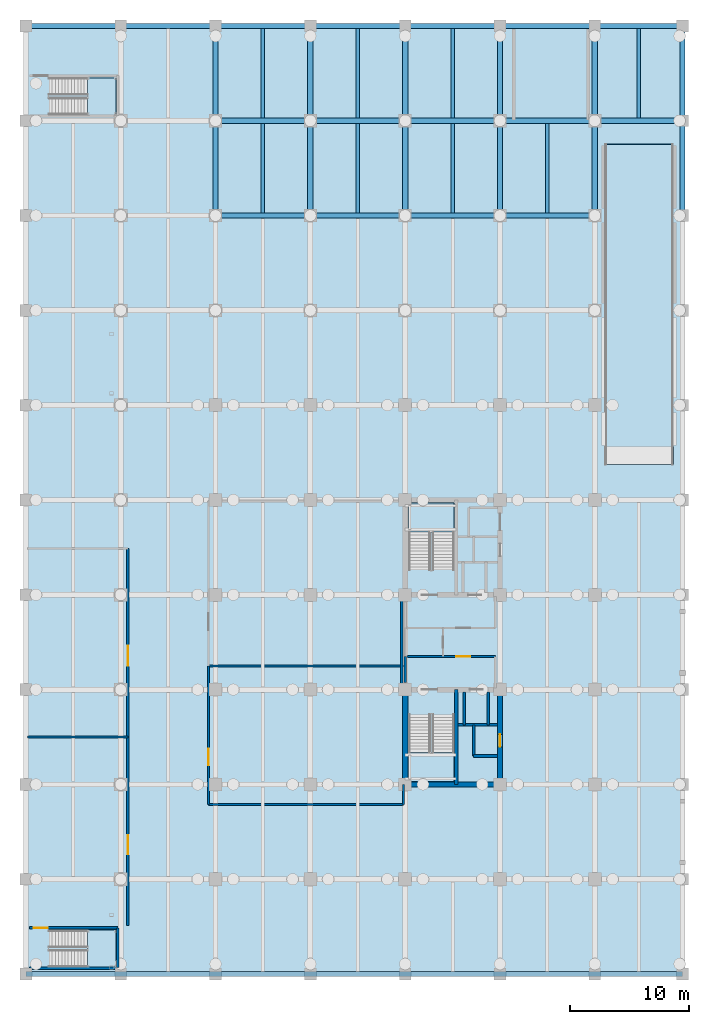
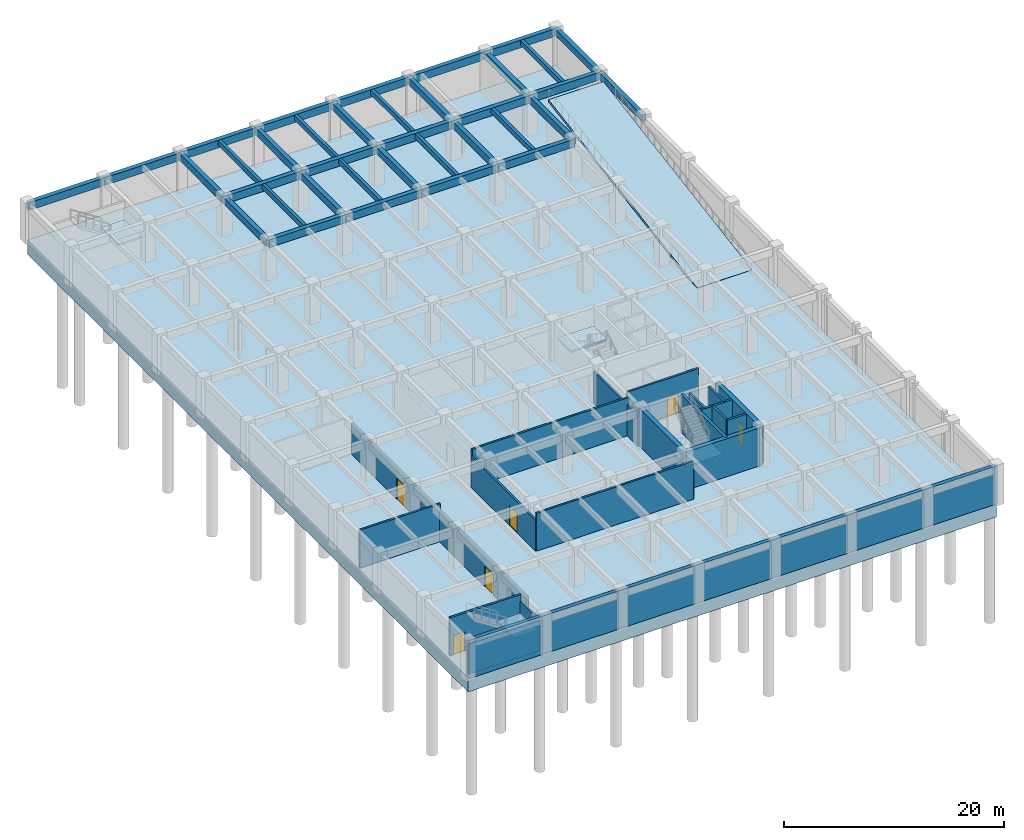
# One storey, part 9 of 15: 36 beams, 23 walls, 6 doors, 6 slabs, 6 openings, 4 elements without a shape of their own.
"""IFC4 building model written with IfcOpenShell, lengths in metres."""

from ifc_helpers import new_model, si_unit, direction, frame, frame_2d, origin, origin_2d, place, context, subcontext, project, spatial, polyline, rectangle, outline, extrude, material, layer, layer_set, material_profile, profile_set, type_object, element, fill, aggregate, save


model = new_model("IFC4")

# Units and contexts
model_context = context("Model", 3, precision=1e-05, world=origin(), true_north=direction((0.0, 1.0)))
body_context = subcontext(model_context, "Body", "Model", "MODEL_VIEW")
ifc_project = project(units=[si_unit("LENGTHUNIT", "METRE"), si_unit("AREAUNIT", "SQUARE_METRE"), si_unit("VOLUMEUNIT", "CUBIC_METRE"), si_unit("PLANEANGLEUNIT", "RADIAN"), si_unit("MASSUNIT", "GRAM", prefix="KILO")], contexts=[model_context])

# Site, building, storey
site_placement = place(None, origin())
site = spatial("IfcSite", under=ifc_project, at=site_placement, CompositionType="ELEMENT")
building_placement = place(site_placement, origin())
building = spatial("IfcBuilding", under=site, at=building_placement, Name="Canggui Botanical Conservatory", CompositionType="ELEMENT")
storey_placement = place(building_placement, frame((0.0, 0.0, -9.0)))
storey = spatial("IfcBuildingStorey", under=building, at=storey_placement, Name="B2", CompositionType="ELEMENT", Elevation=-9.0)

# Beams
ifc_material_1 = material(Name="Concrete C35", Category="concrete")
ifc_material_profile_1 = material_profile(ifc_material_1, rectangle(XDim=0.300048828125, YDim=0.550048828125, at=origin_2d()), Name="RB 300x550")
ifc_profile_set_1 = profile_set([ifc_material_profile_1], Name="Concrete C35")
beam_type_1 = type_object("IfcBeamType", Name="BM-JST01", PredefinedType="JOIST", material=ifc_profile_set_1)
for number, where, z_axis, x_axis, name in (
    (1, (142.0, 90.22998046875, 3.945068359375), (0.0, 1.0, 0.0), (-1.0, 0.0, 0.0), "Secondary Floor Joist B2-3-9"),
    (2, (142.0, 98.22998046875, 3.945068359375), (0.0, 1.0, 0.0), (-1.0, 0.0, 0.0), "Secondary Floor Joist B2-3-10"),
    (3, (150.0, 90.22998046875, 3.945068359375), (0.0, 1.0, 0.0), (-1.0, 0.0, 0.0), "Secondary Floor Joist B2-4-9"),
    (4, (150.0, 98.22998046875, 3.945068359375), (0.0, 1.0, 0.0), (-1.0, 0.0, 0.0), "Secondary Floor Joist B2-4-10"),
    (5, (158.0, 90.22998046875, 3.945068359375), (0.0, 1.0, 0.0), (-1.0, 0.0, 0.0), "Secondary Floor Joist B2-5-9"),
    (6, (158.0, 98.22998046875, 3.945068359375), (0.0, 1.0, 0.0), (-1.0, 0.0, 0.0), "Secondary Floor Joist B2-5-10"),
    (7, (166.0, 90.22998046875, 3.945068359375), (0.0, 1.0, 0.0), (-1.0, 0.0, 0.0), "Secondary Floor Joist B2-6-9"),
    (8, (173.699951171875, 98.22998046875, 3.945068359375), (0.0, 1.0, 0.0), (-1.0, 0.0, 0.0), "Secondary Floor Joist B2-7-10"),
):
    element("IfcBeam", number, at=place(storey_placement, frame(where, z_axis=z_axis, x_axis=x_axis)), inside=storey, type_object=beam_type_1, Name=name, PredefinedType="JOIST", context=body_context, shape_type="SweptSolid", body=[
        extrude(rectangle(XDim=0.300048828125, YDim=0.550048828125, at=origin_2d()), origin(), (0.0, 0.0, 1.0), 7.5400390625),
    ])
ifc_material_profile_2 = material_profile(ifc_material_1, rectangle(XDim=0.449951171875, YDim=0.85009765625, at=origin_2d()), Name="RB 450x850")
ifc_profile_set_2 = profile_set([ifc_material_profile_2], Name="Concrete C35")
beam_type_2 = type_object("IfcBeamType", Name="BM-KL05", PredefinedType="BEAM", material=ifc_profile_set_2)
for number, where, z_axis, x_axis, name in (
    (9, (138.0, 90.0, 3.794921875), (1.0, 0.0, 0.0), (0.0, 1.0, 0.0), "Frame Girder B2 Y90-3"),
    (10, (146.0, 90.0, 3.794921875), (1.0, 0.0, 0.0), (0.0, 1.0, 0.0), "Frame Girder B2 Y90-4"),
    (11, (154.0, 90.0, 3.794921875), (1.0, 0.0, 0.0), (0.0, 1.0, 0.0), "Frame Girder B2 Y90-5"),
    (12, (162.0, 90.0, 3.794921875), (1.0, 0.0, 0.0), (0.0, 1.0, 0.0), "Frame Girder B2 Y90-6"),
    (13, (138.0, 98.0, 3.794921875), (1.0, 0.0, 0.0), (0.0, 1.0, 0.0), "Frame Girder B2 Y98-3"),
    (14, (146.0, 98.0, 3.794921875), (1.0, 0.0, 0.0), (0.0, 1.0, 0.0), "Frame Girder B2 Y98-4"),
    (15, (154.0, 98.0, 3.794921875), (1.0, 0.0, 0.0), (0.0, 1.0, 0.0), "Frame Girder B2 Y98-5"),
    (16, (162.0, 98.0, 3.794921875), (1.0, 0.0, 0.0), (0.0, 1.0, 0.0), "Frame Girder B2 Y98-6"),
):
    element("IfcBeam", number, at=place(storey_placement, frame(where, z_axis=z_axis, x_axis=x_axis)), inside=storey, type_object=beam_type_2, Name=name, PredefinedType="BEAM", context=body_context, shape_type="SweptSolid", body=[
        extrude(rectangle(XDim=0.449951171875, YDim=0.85009765625, at=origin_2d()), origin(), (0.0, 0.0, 1.0), 8.0),
    ])
beam_1_placement = place(storey_placement, frame((170.0, 98.0, 3.794921875), z_axis=(1.0, 0.0, 0.0), x_axis=(0.0, 1.0, 0.0)))
element("IfcBeam", 17, at=beam_1_placement, inside=storey, type_object=beam_type_2, Name="Frame Girder B2 Y98-7", PredefinedType="BEAM", context=body_context, shape_type="SweptSolid", body=[
    extrude(rectangle(XDim=0.449951171875, YDim=0.85009765625, at=origin_2d()), origin(), (0.0, 0.0, 1.0), 7.39990234375),
])
for number, where, z_axis, x_axis, name in (
    (18, (122.0, 106.0, 3.794921875), (1.0, 0.0, 0.0), (0.0, 1.0, 0.0), "Frame Girder B2 Y106-1"),
    (19, (130.0, 106.0, 3.794921875), (1.0, 0.0, 0.0), (0.0, 1.0, 0.0), "Frame Girder B2 Y106-2"),
    (20, (138.0, 106.0, 3.794921875), (1.0, 0.0, 0.0), (0.0, 1.0, 0.0), "Frame Girder B2 Y106-3"),
    (21, (146.0, 106.0, 3.794921875), (1.0, 0.0, 0.0), (0.0, 1.0, 0.0), "Frame Girder B2 Y106-4"),
    (22, (154.0, 106.0, 3.794921875), (1.0, 0.0, 0.0), (0.0, 1.0, 0.0), "Frame Girder B2 Y106-5"),
    (23, (162.0, 106.0, 3.794921875), (1.0, 0.0, 0.0), (0.0, 1.0, 0.0), "Frame Girder B2 Y106-6"),
):
    element("IfcBeam", number, at=place(storey_placement, frame(where, z_axis=z_axis, x_axis=x_axis)), inside=storey, type_object=beam_type_2, Name=name, PredefinedType="BEAM", context=body_context, shape_type="SweptSolid", body=[
        extrude(rectangle(XDim=0.449951171875, YDim=0.85009765625, at=origin_2d()), origin(), (0.0, 0.0, 1.0), 8.0),
    ])
beam_2_placement = place(storey_placement, frame((170.0, 106.0, 3.794921875), z_axis=(1.0, 0.0, 0.0), x_axis=(0.0, 1.0, 0.0)))
element("IfcBeam", 24, at=beam_2_placement, inside=storey, type_object=beam_type_2, Name="Frame Girder B2 Y106-7", PredefinedType="BEAM", context=body_context, shape_type="SweptSolid", body=[
    extrude(rectangle(XDim=0.449951171875, YDim=0.85009765625, at=origin_2d()), origin(), (0.0, 0.0, 1.0), 7.39990234375),
])
ifc_material_profile_3 = material_profile(ifc_material_1, rectangle(XDim=0.449951171875, YDim=0.75, at=origin_2d()), Name="RB 450x750")
ifc_profile_set_3 = profile_set([ifc_material_profile_3], Name="Concrete C35")
beam_type_3 = type_object("IfcBeamType", Name="BM-KL06", PredefinedType="BEAM", material=ifc_profile_set_3)
for number, where, z_axis, x_axis, name in (
    (25, (138.0, 90.0, 3.844970703125), (0.0, 1.0, 0.0), (-1.0, 0.0, 0.0), "Frame Girder B2 X138-9"),
    (26, (138.0, 98.0, 3.844970703125), (0.0, 1.0, 0.0), (-1.0, 0.0, 0.0), "Frame Girder B2 X138-10"),
    (27, (146.0, 90.0, 3.844970703125), (0.0, 1.0, 0.0), (-1.0, 0.0, 0.0), "Frame Girder B2 X146-9"),
    (28, (146.0, 98.0, 3.844970703125), (0.0, 1.0, 0.0), (-1.0, 0.0, 0.0), "Frame Girder B2 X146-10"),
    (29, (154.0, 90.0, 3.844970703125), (0.0, 1.0, 0.0), (-1.0, 0.0, 0.0), "Frame Girder B2 X154-9"),
    (30, (154.0, 98.0, 3.844970703125), (0.0, 1.0, 0.0), (-1.0, 0.0, 0.0), "Frame Girder B2 X154-10"),
    (31, (162.0, 90.0, 3.844970703125), (0.0, 1.0, 0.0), (-1.0, 0.0, 0.0), "Frame Girder B2 X162-9"),
    (32, (162.0, 98.0, 3.844970703125), (0.0, 1.0, 0.0), (-1.0, 0.0, 0.0), "Frame Girder B2 X162-10"),
    (33, (170.0, 90.0, 3.844970703125), (0.0, 1.0, 0.0), (-1.0, 0.0, 0.0), "Frame Girder B2 X170-9"),
    (34, (170.0, 98.0, 3.844970703125), (0.0, 1.0, 0.0), (-1.0, 0.0, 0.0), "Frame Girder B2 X170-10"),
    (35, (177.39990234375, 90.0, 3.844970703125), (0.0, 1.0, 0.0), (-1.0, 0.0, 0.0), "Frame Girder B2 X178-9"),
    (36, (177.39990234375, 98.0, 3.844970703125), (0.0, 1.0, 0.0), (-1.0, 0.0, 0.0), "Frame Girder B2 X178-10"),
):
    element("IfcBeam", number, at=place(storey_placement, frame(where, z_axis=z_axis, x_axis=x_axis)), inside=storey, type_object=beam_type_3, Name=name, PredefinedType="BEAM", context=body_context, shape_type="SweptSolid", body=[
        extrude(rectangle(XDim=0.449951171875, YDim=0.75, at=origin_2d()), origin(), (0.0, 0.0, 1.0), 8.0),
    ])

# Slab
ifc_layer_1 = layer(ifc_material_1, 0.25, Name="Concrete C35", Category="concrete")
ifc_layer_set_1 = layer_set([ifc_layer_1], Name="Concrete C35")
slab_type_1 = type_object("IfcSlabType", Name="SLAB-F250", PredefinedType="FLOOR", material=ifc_layer_set_1)
slab_1_placement = place(storey_placement, frame((170.85009765625, 69.0, 0.0), z_axis=(0.0, -0.164398987305, 0.986393923832), x_axis=(1.0, 0.0, 0.0)))
element("IfcSlab", 37, at=slab_1_placement, inside=storey, type_object=slab_type_1, Name="Lower Basement Two-Way Vehicle Ramp VR-02 Structural Deck Slab", PredefinedType="FLOOR", context=body_context, shape_type="SweptSolid", body=[
    extrude(outline(polyline([(0.0, 0.0), (5.760009765625, 0.0), (5.760009765625, 27.372431386341987), (0.0, 27.372431386341987), (0.0, 0.0)])), origin(), (0.0, 0.0, -1.0), 0.25),
])

# Stair, slab
stair_type_1 = type_object("IfcStairType", Name="STR-TYPE-5", PredefinedType="HALF_TURN_STAIR", material=ifc_material_1)
stair_1_placement = place(storey_placement, origin())
stair_1 = element("IfcStair", 38, at=stair_1_placement, inside=storey, type_object=stair_type_1, Name="B2 Tower South Smoke-Proof Stair ST-T1", PredefinedType="HALF_TURN_STAIR")
ifc_layer_2 = layer(ifc_material_1, 0.199951171875, Name="Concrete C35", Category="concrete")
ifc_layer_set_2 = layer_set([ifc_layer_2], Name="Concrete C35")
slab_type_2 = type_object("IfcSlabType", Name="SLAB-LND-200", PredefinedType="LANDING", material=ifc_layer_set_2)
slab_2_placement = place(storey_placement, frame((0.0, 0.0, 2.050048828125)))
slab_2 = element("IfcSlab", 39, at=slab_2_placement, type_object=slab_type_2, Name="ST-T1 landing 1", PredefinedType="LANDING", context=body_context, shape_type="SweptSolid", body=[
    extrude(outline(polyline([(154.300048828125, 44.70458984375), (154.300048828125, 42.260009765625), (158.1201171875, 42.260009765625), (158.1201171875, 44.70458984375), (154.300048828125, 44.70458984375)])), origin(), (0.0, 0.0, 1.0), 0.199951171875),
])
aggregate(stair_1, [slab_2])

stair_2_placement = place(storey_placement, origin())
stair_2 = element("IfcStair", 40, at=stair_2_placement, inside=storey, type_object=stair_type_1, Name="B2 Tower North Smoke-Proof Stair ST-T2", PredefinedType="HALF_TURN_STAIR")
slab_3_placement = place(storey_placement, frame((0.0, 0.0, 2.050048828125)))
slab_3 = element("IfcSlab", 41, at=slab_3_placement, type_object=slab_type_2, Name="ST-T2 landing 1", PredefinedType="LANDING", context=body_context, shape_type="SweptSolid", body=[
    extrude(outline(polyline([(158.1201171875, 63.29541015625), (158.1201171875, 65.739990234375), (154.300048828125, 65.739990234375), (154.300048828125, 63.29541015625), (158.1201171875, 63.29541015625)])), origin(), (0.0, 0.0, 1.0), 0.199951171875),
])
aggregate(stair_2, [slab_3])

stair_type_2 = type_object("IfcStairType", Name="STR-TYPE-2", PredefinedType="HALF_TURN_STAIR", material=ifc_material_1)
stair_3_placement = place(storey_placement, origin())
stair_3 = element("IfcStair", 42, at=stair_3_placement, inside=storey, type_object=stair_type_2, Name="B2 Basement South-West Escape Stair ST-G1", PredefinedType="HALF_TURN_STAIR")
slab_4_placement = place(storey_placement, frame((0.0, 0.0, 2.050048828125)))
slab_4 = element("IfcSlab", 43, at=slab_4_placement, type_object=slab_type_2, Name="ST-G1 landing 1", PredefinedType="LANDING", context=body_context, shape_type="SweptSolid", body=[
    extrude(outline(polyline([(127.189453125, 26.60009765625), (129.60009765625, 26.60009765625), (129.60009765625, 29.699951171875), (127.189453125, 29.699951171875), (127.189453125, 26.60009765625)])), origin(), (0.0, 0.0, 1.0), 0.199951171875),
])
aggregate(stair_3, [slab_4])

stair_4_placement = place(storey_placement, origin())
stair_4 = element("IfcStair", 44, at=stair_4_placement, inside=storey, type_object=stair_type_2, Name="B2 Basement North-West Escape Stair ST-G2", PredefinedType="HALF_TURN_STAIR")
slab_5_placement = place(storey_placement, frame((0.0, 0.0, 2.050048828125)))
slab_5 = element("IfcSlab", 45, at=slab_5_placement, type_object=slab_type_2, Name="ST-G2 landing 1", PredefinedType="LANDING", context=body_context, shape_type="SweptSolid", body=[
    extrude(outline(polyline([(127.189453125, 98.5), (129.60009765625, 98.5), (129.60009765625, 101.60009765625), (127.189453125, 101.60009765625), (127.189453125, 98.5)])), origin(), (0.0, 0.0, 1.0), 0.199951171875),
])
aggregate(stair_4, [slab_5])

# Slab
ifc_material_2 = material(Name="Concrete C40", Category="concrete")
ifc_layer_3 = layer(ifc_material_2, 1.60009765625, Name="Concrete C40", Category="concrete")
ifc_layer_set_3 = layer_set([ifc_layer_3], Name="Concrete C40")
slab_type_3 = type_object("IfcSlabType", Name="SLAB-RAFT-1600", PredefinedType="BASESLAB", material=ifc_layer_set_3)
slab_6_placement = place(storey_placement, frame((0.0, 0.0, -1.60009765625)))
element("IfcSlab", 46, at=slab_6_placement, inside=storey, type_object=slab_type_3, Name="Tower and Basement Pile-Raft Base Slab", PredefinedType="BASESLAB", context=body_context, shape_type="SweptSolid", body=[
    extrude(outline(polyline([(122.0, 26.0), (177.39990234375, 26.0), (177.39990234375, 106.0), (122.0, 106.0), (122.0, 26.0)]), holes=[polyline([(170.840087890625, 68.989990234375), (176.6201171875, 68.989990234375), (176.6201171875, 70.52001953125), (170.840087890625, 70.52001953125), (170.840087890625, 68.989990234375)])]), origin(), (0.0, 0.0, 1.0), 1.60009765625),
])

# Wall, opening, door
ifc_layer_4 = layer(ifc_material_1, 0.195068359375, Name="Concrete C35", Category="concrete")
ifc_layer_set_4 = layer_set([ifc_layer_4], Name="Concrete C35")
wall_type_1 = type_object("IfcWallType", Name="IW-LOBBY-195", PredefinedType="STANDARD", material=ifc_layer_set_4)
wall_1_placement = place(storey_placement, frame((154.14990234375, 52.800048828125, 0.0), z_axis=(0.0, 0.0, 1.0), x_axis=(1.0, 0.0, 0.0)))
wall_1 = element("IfcWall", 47, at=wall_1_placement, inside=storey, type_object=wall_type_1, Name="B2 South Firefighting Lobby Wall", PredefinedType="STANDARD", context=body_context, shape_type="SweptSolid", body=[
    extrude(rectangle(XDim=7.4501953125, YDim=0.195068359375, at=frame_2d((3.72509765625, 0.0))), origin(), (0.0, 0.0, 1.0), 4.199951171875),
])
opening_1_placement = place(wall_1_placement, frame((4.14990234375, 0.0, 0.0)))
opening_1 = element("IfcOpeningElement", 48, at=opening_1_placement, cuts=wall_1, Name="Opening FD-07", PredefinedType="OPENING", context=body_context, shape_type="SweptSolid", body=[
    extrude(rectangle(XDim=1.199951171875, YDim=2.10009765625, at=frame_2d((0.60009765625, 1.050048828125))), frame((0.0, 0.107421875, 0.0), z_axis=(0.0, -1.0, 0.0), x_axis=(1.0, 0.0, 0.0)), (0.0, 0.0, 1.0), 0.215087890625),
])
ifc_material_3 = material(Name="Powder-Coated Steel", Category="steel")
door_type_1 = type_object("IfcDoorType", Name="FD-07", OperationType="NOTDEFINED", PredefinedType="DOOR", material=ifc_material_3)
door_1_placement = place(opening_1_placement, origin())
door_1 = element("IfcDoor", 49, at=door_1_placement, inside=storey, type_object=door_type_1, Name="Interior Door IW-B2-FFL1-N", OperationType="SINGLE_SWING_LEFT", OverallHeight=2.10009765625, OverallWidth=1.199951171875, PredefinedType="DOOR", context=body_context, shape_type="SweptSolid", body=[
    extrude(rectangle(XDim=1.199951171875, YDim=2.10009765625, at=frame_2d((0.60009765625, 1.050048828125))), frame((0.0, 0.02490234375, 0.0), z_axis=(0.0, -1.0, 0.0), x_axis=(1.0, 0.0, 0.0)), (0.0, 0.0, 1.0), 0.050048828125),
])
fill(opening_1, door_1)

# Wall
wall_2_placement = place(storey_placement, frame((154.0, 50.60009765625, 0.0), z_axis=(0.0, 0.0, 1.0), x_axis=(0.0, 1.0, 0.0)))
element("IfcWall", 50, at=wall_2_placement, inside=storey, type_object=wall_type_1, Name="B2 South Firefighting Lobby West Wall", PredefinedType="STANDARD", context=body_context, shape_type="SweptSolid", body=[
    extrude(rectangle(XDim=2.199951171875, YDim=0.195068359375, at=frame_2d((1.10009765625, 0.0))), origin(), (0.0, 0.0, 1.0), 3.449951171875),
])

# Wall, opening, door
wall_3_placement = place(storey_placement, frame((130.60009765625, 30.10009765625, 0.0), z_axis=(0.0, 0.0, 1.0), x_axis=(0.0, 1.0, 0.0)))
wall_3 = element("IfcWall", 51, at=wall_3_placement, inside=storey, type_object=wall_type_1, Name="B2 Plant Room Partition 1", PredefinedType="STANDARD", context=body_context, shape_type="SweptSolid", body=[
    extrude(rectangle(XDim=15.89990234375, YDim=0.195068359375, at=frame_2d((7.949951171875, 0.0))), origin(), (0.0, 0.0, 1.0), 3.449951171875),
])
opening_2_placement = place(wall_3_placement, frame((6.0, 0.0, 0.0)))
opening_2 = element("IfcOpeningElement", 52, at=opening_2_placement, cuts=wall_3, Name="Opening FD-15", PredefinedType="OPENING", context=body_context, shape_type="SweptSolid", body=[
    extrude(rectangle(XDim=1.60009765625, YDim=2.25, at=frame_2d((0.800048828125, 1.125))), frame((0.0, 0.107421875, 0.0), z_axis=(0.0, -1.0, 0.0), x_axis=(1.0, 0.0, 0.0)), (0.0, 0.0, 1.0), 0.215087890625),
])
door_type_2 = type_object("IfcDoorType", Name="FD-15", OperationType="NOTDEFINED", PredefinedType="DOOR", material=ifc_material_3)
door_2_placement = place(opening_2_placement, origin())
door_2 = element("IfcDoor", 53, at=door_2_placement, inside=storey, type_object=door_type_2, Name="Interior Door IW-B2-PLT1", OperationType="DOUBLE_DOOR_SINGLE_SWING", OverallHeight=2.25, OverallWidth=1.60009765625, PredefinedType="DOOR", context=body_context, shape_type="SweptSolid", body=[
    extrude(rectangle(XDim=1.60009765625, YDim=2.25, at=frame_2d((0.800048828125, 1.125))), frame((0.0, 0.02490234375, 0.0), z_axis=(0.0, -1.0, 0.0), x_axis=(1.0, 0.0, 0.0)), (0.0, 0.0, 1.0), 0.050048828125),
])
fill(opening_2, door_2)

wall_4_placement = place(storey_placement, frame((130.60009765625, 46.0, 0.0), z_axis=(0.0, 0.0, 1.0), x_axis=(0.0, 1.0, 0.0)))
wall_4 = element("IfcWall", 54, at=wall_4_placement, inside=storey, type_object=wall_type_1, Name="B2 Plant Room Partition 2", PredefinedType="STANDARD", context=body_context, shape_type="SweptSolid", body=[
    extrude(rectangle(XDim=15.89990234375, YDim=0.195068359375, at=frame_2d((7.949951171875, 0.0))), origin(), (0.0, 0.0, 1.0), 3.449951171875),
])
opening_3_placement = place(wall_4_placement, frame((6.0, 0.0, 0.0)))
opening_3 = element("IfcOpeningElement", 55, at=opening_3_placement, cuts=wall_4, Name="Opening FD-16", PredefinedType="OPENING", context=body_context, shape_type="SweptSolid", body=[
    extrude(rectangle(XDim=1.699951171875, YDim=2.300048828125, at=frame_2d((0.85009765625, 1.14990234375))), frame((0.0, 0.107421875, 0.0), z_axis=(0.0, -1.0, 0.0), x_axis=(1.0, 0.0, 0.0)), (0.0, 0.0, 1.0), 0.215087890625),
])
door_type_3 = type_object("IfcDoorType", Name="FD-16", OperationType="NOTDEFINED", PredefinedType="DOOR", material=ifc_material_3)
door_3_placement = place(opening_3_placement, origin())
door_3 = element("IfcDoor", 56, at=door_3_placement, inside=storey, type_object=door_type_3, Name="Interior Door IW-B2-PLT2", OperationType="DOUBLE_DOOR_SINGLE_SWING", OverallHeight=2.300048828125, OverallWidth=1.699951171875, PredefinedType="DOOR", context=body_context, shape_type="SweptSolid", body=[
    extrude(rectangle(XDim=1.699951171875, YDim=2.300048828125, at=frame_2d((0.85009765625, 1.14990234375))), frame((0.0, 0.02490234375, 0.0), z_axis=(0.0, -1.0, 0.0), x_axis=(1.0, 0.0, 0.0)), (0.0, 0.0, 1.0), 0.050048828125),
])
fill(opening_3, door_3)

# Wall
wall_5_placement = place(storey_placement, frame((122.14990234375, 46.0, 0.0), z_axis=(0.0, 0.0, 1.0), x_axis=(1.0, 0.0, 0.0)))
element("IfcWall", 57, at=wall_5_placement, inside=storey, type_object=wall_type_1, Name="B2 Plant Room Cross Wall", PredefinedType="STANDARD", context=body_context, shape_type="SweptSolid", body=[
    extrude(rectangle(XDim=8.4501953125, YDim=0.195068359375, at=frame_2d((4.22509765625, 0.0))), origin(), (0.0, 0.0, 1.0), 4.199951171875),
])

# Wall, opening, door
wall_6_placement = place(storey_placement, frame((137.39990234375, 40.300048828125, 0.0), z_axis=(0.0, 0.0, 1.0), x_axis=(0.0, 1.0, 0.0)))
wall_6 = element("IfcWall", 58, at=wall_6_placement, inside=storey, type_object=wall_type_1, Name="B2 Vault Enclosure 1", PredefinedType="STANDARD", context=body_context, shape_type="SweptSolid", body=[
    extrude(rectangle(XDim=11.699951171875, YDim=0.195068359375, at=frame_2d((5.85009765625, 0.0))), origin(), (0.0, 0.0, 1.0), 3.449951171875),
])
opening_4_placement = place(wall_6_placement, frame((3.300048828125, 0.0, 0.0)))
opening_4 = element("IfcOpeningElement", 59, at=opening_4_placement, cuts=wall_6, Name="Opening FD-11", PredefinedType="OPENING", context=body_context, shape_type="SweptSolid", body=[
    extrude(rectangle(XDim=1.39990234375, YDim=2.199951171875, at=frame_2d((0.699951171875, 1.10009765625))), frame((0.0, 0.107421875, 0.0), z_axis=(0.0, -1.0, 0.0), x_axis=(1.0, 0.0, 0.0)), (0.0, 0.0, 1.0), 0.215087890625),
])
door_type_4 = type_object("IfcDoorType", Name="FD-11", OperationType="NOTDEFINED", PredefinedType="DOOR", material=ifc_material_3)
door_4_placement = place(opening_4_placement, origin())
door_4 = element("IfcDoor", 60, at=door_4_placement, inside=storey, type_object=door_type_4, Name="Interior Door IW-B2-VLT1", OperationType="SINGLE_SWING_RIGHT", OverallHeight=2.199951171875, OverallWidth=1.39990234375, PredefinedType="DOOR", context=body_context, shape_type="SweptSolid", body=[
    extrude(rectangle(XDim=1.39990234375, YDim=2.199951171875, at=frame_2d((0.699951171875, 1.10009765625))), frame((0.0, 0.02490234375, 0.0), z_axis=(0.0, -1.0, 0.0), x_axis=(1.0, 0.0, 0.0)), (0.0, 0.0, 1.0), 0.050048828125),
])
fill(opening_4, door_4)

# Walls
for number, where, z_axis, x_axis, name in (
    (61, (137.39990234375, 52.0, 0.0), (0.0, 0.0, 1.0), (1.0, 0.0, 0.0), "B2 Vault Cross Wall"),
    (62, (137.39990234375, 40.300048828125, 0.0), (0.0, 0.0, 1.0), (1.0, 0.0, 0.0), "B2 Vault South Wall"),
):
    element("IfcWall", number, at=place(storey_placement, frame(where, z_axis=z_axis, x_axis=x_axis)), inside=storey, type_object=wall_type_1, Name=name, PredefinedType="STANDARD", context=body_context, shape_type="SweptSolid", body=[
        extrude(rectangle(XDim=16.4501953125, YDim=0.195068359375, at=frame_2d((8.22509765625, 0.0))), origin(), (0.0, 0.0, 1.0), 4.199951171875),
    ])
wall_7_placement = place(storey_placement, frame((153.85009765625, 40.300048828125, 0.0), z_axis=(0.0, 0.0, 1.0), x_axis=(0.0, 1.0, 0.0)))
element("IfcWall", 63, at=wall_7_placement, inside=storey, type_object=wall_type_1, Name="B2 Vault East Tie Wall 1", PredefinedType="STANDARD", context=body_context, shape_type="SweptSolid", body=[
    extrude(rectangle(XDim=1.699951171875, YDim=0.195068359375, at=frame_2d((0.85009765625, 0.0))), origin(), (0.0, 0.0, 1.0), 3.449951171875),
])
wall_8_placement = place(storey_placement, frame((153.719970703125, 50.0, 0.0), z_axis=(0.0, 0.0, 1.0), x_axis=(0.0, 1.0, 0.0)))
element("IfcWall", 64, at=wall_8_placement, inside=storey, type_object=wall_type_1, Name="B2 Vault East Tie Wall 2", PredefinedType="STANDARD", context=body_context, shape_type="SweptSolid", body=[
    extrude(rectangle(XDim=8.0, YDim=0.195068359375, at=frame_2d((4.0, 0.0))), origin(), (0.0, 0.0, 1.0), 3.449951171875),
])

# Wall, opening, door
ifc_layer_5 = layer(ifc_material_1, 0.215087890625, Name="Concrete C35", Category="concrete")
ifc_layer_set_5 = layer_set([ifc_layer_5], Name="Concrete C35")
wall_type_2 = type_object("IfcWallType", Name="IW-SHAFT-215", PredefinedType="STANDARD", material=ifc_layer_set_5)
wall_9_placement = place(storey_placement, frame((122.300048828125, 29.89990234375, 0.0), z_axis=(0.0, 0.0, 1.0), x_axis=(1.0, 0.0, 0.0)))
wall_9 = element("IfcWall", 65, at=wall_9_placement, inside=storey, type_object=wall_type_2, Name="ST-G1 Shaft North Wall B2", PredefinedType="STANDARD", context=body_context, shape_type="SweptSolid", body=[
    extrude(rectangle(XDim=7.449951171875, YDim=0.215087890625, at=frame_2d((3.72509765625, 0.0))), origin(), (0.0, 0.0, 1.0), 4.199951171875),
])
opening_5_placement = place(wall_9_placement, frame((0.35009765625, 0.0, 0.0)))
opening_5 = element("IfcOpeningElement", 66, at=opening_5_placement, cuts=wall_9, Name="Opening FD-07", PredefinedType="OPENING", context=body_context, shape_type="SweptSolid", body=[
    extrude(rectangle(XDim=1.199951171875, YDim=2.10009765625, at=frame_2d((0.60009765625, 1.050048828125))), frame((0.0, 0.11767578125, 0.0), z_axis=(0.0, -1.0, 0.0), x_axis=(1.0, 0.0, 0.0)), (0.0, 0.0, 1.0), 0.235107421875),
])
door_5_placement = place(opening_5_placement, origin())
door_5 = element("IfcDoor", 67, at=door_5_placement, inside=storey, type_object=door_type_1, Name="ST-G1 Escape Stair Door B2", OperationType="SINGLE_SWING_LEFT", OverallHeight=2.10009765625, OverallWidth=1.199951171875, PredefinedType="DOOR", context=body_context, shape_type="SweptSolid", body=[
    extrude(rectangle(XDim=1.199951171875, YDim=2.10009765625, at=frame_2d((0.60009765625, 1.050048828125))), frame((0.0, 0.02490234375, 0.0), z_axis=(0.0, -1.0, 0.0), x_axis=(1.0, 0.0, 0.0)), (0.0, 0.0, 1.0), 0.050048828125),
])
fill(opening_5, door_5)

# Walls
wall_10_placement = place(storey_placement, frame((129.75, 26.550048828125, 0.0), z_axis=(0.0, 0.0, 1.0), x_axis=(0.0, 1.0, 0.0)))
element("IfcWall", 68, at=wall_10_placement, inside=storey, type_object=wall_type_2, Name="ST-G1 Shaft East Wall B2", PredefinedType="STANDARD", context=body_context, shape_type="SweptSolid", body=[
    extrude(rectangle(XDim=3.349853515625, YDim=0.215087890625, at=frame_2d((1.6748046875, 0.0))), origin(), (0.0, 0.0, 1.0), 3.449951171875),
])
wall_11_placement = place(storey_placement, frame((129.75, 26.5, 0.0), z_axis=(0.0, 0.0, 1.0), x_axis=(-1.0, 0.0, 0.0)))
element("IfcWall", 69, at=wall_11_placement, inside=storey, type_object=wall_type_2, Name="ST-G1 Shaft South Wall B2", PredefinedType="STANDARD", context=body_context, shape_type="SweptSolid", body=[
    extrude(rectangle(XDim=7.449951171875, YDim=0.215087890625, at=frame_2d((3.72509765625, 0.0))), origin(), (0.0, 0.0, 1.0), 3.35009765625),
])
wall_12_placement = place(storey_placement, frame((158.449951171875, 47.02001953125, 0.0), z_axis=(0.0, 0.0, 1.0), x_axis=(1.0, 0.0, 0.0)))
element("IfcWall", 70, at=wall_12_placement, inside=storey, type_object=wall_type_2, Name="Core T1 Lift Shaft Divider B2", PredefinedType="STANDARD", context=body_context, shape_type="SweptSolid", body=[
    extrude(rectangle(XDim=3.35009765625, YDim=0.215087890625, at=frame_2d((1.675048828125, 0.0))), origin(), (0.0, 0.0, 1.0), 4.199951171875),
])
for number, where, z_axis, x_axis, name in (
    (71, (158.97998046875, 47.02001953125, 0.0), (0.0, 0.0, 1.0), (0.0, 1.0, 0.0), "Core T1 FL-01 West Shaft Wall B2"),
    (72, (161.02001953125, 47.02001953125, 0.0), (0.0, 0.0, 1.0), (0.0, 1.0, 0.0), "Core T1 FL-01 East Shaft Wall B2"),
):
    element("IfcWall", number, at=place(storey_placement, frame(where, z_axis=z_axis, x_axis=x_axis)), inside=storey, type_object=wall_type_2, Name=name, PredefinedType="STANDARD", context=body_context, shape_type="SweptSolid", body=[
        extrude(rectangle(XDim=2.780029296875, YDim=0.215087890625, at=frame_2d((1.39013671875, 0.0))), origin(), (0.0, 0.0, 1.0), 4.199951171875),
    ])
wall_13_placement = place(storey_placement, frame((159.780029296875, 44.39990234375, 0.0), z_axis=(0.0, 0.0, 1.0), x_axis=(0.0, 1.0, 0.0)))
element("IfcWall", 73, at=wall_13_placement, inside=storey, type_object=wall_type_2, Name="Core T1 PL-01 West Shaft Wall B2", PredefinedType="STANDARD", context=body_context, shape_type="SweptSolid", body=[
    extrude(rectangle(XDim=2.6201171875, YDim=0.215087890625, at=frame_2d((1.31005859375, 0.0))), origin(), (0.0, 0.0, 1.0), 4.199951171875),
])
wall_14_placement = place(storey_placement, frame((159.780029296875, 44.39990234375, 0.0), z_axis=(0.0, 0.0, 1.0), x_axis=(1.0, 0.0, 0.0)))
element("IfcWall", 74, at=wall_14_placement, inside=storey, type_object=wall_type_2, Name="Core T1 PL-01 South Shaft Wall B2", PredefinedType="STANDARD", context=body_context, shape_type="SweptSolid", body=[
    extrude(rectangle(XDim=2.02001953125, YDim=0.215087890625, at=frame_2d((1.010009765625, 0.0))), origin(), (0.0, 0.0, 1.0), 4.199951171875),
])
ifc_layer_6 = layer(ifc_material_2, 0.39990234375, Name="Concrete C40", Category="concrete")
ifc_layer_set_6 = layer_set([ifc_layer_6], Name="Concrete C40")
wall_type_3 = type_object("IfcWallType", Name="WALL-RET-400", PredefinedType="SOLIDWALL", material=ifc_layer_set_6)
wall_15_placement = place(storey_placement, frame((122.0, 26.0, 0.0), z_axis=(0.0, 0.0, 1.0), x_axis=(1.0, 0.0, 0.0)))
element("IfcWall", 75, at=wall_15_placement, inside=storey, type_object=wall_type_3, Name="Basement Waterproof Retaining Wall B2-01", PredefinedType="SOLIDWALL", context=body_context, shape_type="SweptSolid", body=[
    extrude(rectangle(XDim=55.39990234375, YDim=0.39990234375, at=frame_2d((27.699951171875, 0.0))), origin(), (0.0, 0.0, 1.0), 4.219970703125),
])
ifc_layer_7 = layer(ifc_material_1, 0.280029296875, Name="Concrete C35", Category="concrete")
ifc_layer_set_7 = layer_set([ifc_layer_7], Name="Concrete C35")
wall_type_4 = type_object("IfcWallType", Name="WALL-SH-280-C35", PredefinedType="SHEAR", material=ifc_layer_set_7)
wall_16_placement = place(storey_placement, frame((158.300048828125, 42.0, 0.0), z_axis=(0.0, 0.0, 1.0), x_axis=(0.0, 1.0, 0.0)))
element("IfcWall", 76, at=wall_16_placement, inside=storey, type_object=wall_type_4, Name="Core T1 Internal Shear Web B2", PredefinedType="SHEAR", context=body_context, shape_type="SweptSolid", body=[
    extrude(rectangle(XDim=8.0, YDim=0.280029296875, at=frame_2d((4.0, 0.0))), origin(), (0.0, 0.0, 1.0), 4.219970703125),
])
ifc_material_4 = material(Name="Concrete C50", Category="concrete")
ifc_layer_8 = layer(ifc_material_4, 0.449951171875, Name="Concrete C50", Category="concrete")
ifc_layer_set_8 = layer_set([ifc_layer_8], Name="Concrete C50")
wall_type_5 = type_object("IfcWallType", Name="WALL-SH-450-C50", PredefinedType="SHEAR", material=ifc_layer_set_8)
wall_17_placement = place(storey_placement, frame((154.0, 42.0, 0.0), z_axis=(0.0, 0.0, 1.0), x_axis=(1.0, 0.0, 0.0)))
element("IfcWall", 77, at=wall_17_placement, inside=storey, type_object=wall_type_5, Name="Core T1 Shear Wall B2-S", PredefinedType="SHEAR", context=body_context, shape_type="SweptSolid", body=[
    extrude(rectangle(XDim=8.0, YDim=0.449951171875, at=frame_2d((4.0, 0.0))), origin(), (0.0, 0.0, 1.0), 4.219970703125),
])

# Wall, opening, door
wall_18_placement = place(storey_placement, frame((162.0, 42.0, 0.0), z_axis=(0.0, 0.0, 1.0), x_axis=(0.0, 1.0, 0.0)))
wall_18 = element("IfcWall", 78, at=wall_18_placement, inside=storey, type_object=wall_type_5, Name="Core T1 Shear Wall B2-E", PredefinedType="SHEAR", context=body_context, shape_type="SweptSolid", body=[
    extrude(rectangle(XDim=8.0, YDim=0.449951171875, at=frame_2d((4.0, 0.0))), origin(), (0.0, 0.0, 1.0), 4.219970703125),
])
opening_6_placement = place(wall_18_placement, frame((3.175048828125, 0.0, 0.0)))
opening_6 = element("IfcOpeningElement", 79, at=opening_6_placement, cuts=wall_18, Name="Opening LD-02", PredefinedType="OPENING", context=body_context, shape_type="SweptSolid", body=[
    extrude(rectangle(XDim=1.050048828125, YDim=2.199951171875, at=frame_2d((0.52490234375, 1.10009765625))), frame((0.0, 0.23486328125, 0.0), z_axis=(0.0, -1.0, 0.0), x_axis=(1.0, 0.0, 0.0)), (0.0, 0.0, 1.0), 0.469970703125),
])
ifc_material_5 = material(Name="Stainless Steel 304", Category="steel")
door_type_5 = type_object("IfcDoorType", Name="LDR-02", OperationType="NOTDEFINED", PredefinedType="DOOR", material=ifc_material_5)
door_6_placement = place(opening_6_placement, origin())
door_6 = element("IfcDoor", 80, at=door_6_placement, inside=storey, type_object=door_type_5, Name="Passenger Lift PL-01 Landing Door B2", OperationType="SLIDING_TO_LEFT", OverallHeight=2.199951171875, OverallWidth=1.050048828125, PredefinedType="DOOR", context=body_context, shape_type="SweptSolid", body=[
    extrude(rectangle(XDim=1.050048828125, YDim=2.199951171875, at=frame_2d((0.52490234375, 1.10009765625))), frame((0.0, 0.02490234375, 0.0), z_axis=(0.0, -1.0, 0.0), x_axis=(1.0, 0.0, 0.0)), (0.0, 0.0, 1.0), 0.050048828125),
])
fill(opening_6, door_6)

# Wall
wall_19_placement = place(storey_placement, frame((154.0, 50.0, 0.0), z_axis=(0.0, 0.0, 1.0), x_axis=(0.0, -1.0, 0.0)))
element("IfcWall", 81, at=wall_19_placement, inside=storey, type_object=wall_type_5, Name="Core T1 Shear Wall B2-W", PredefinedType="SHEAR", context=body_context, shape_type="SweptSolid", body=[
    extrude(rectangle(XDim=8.0, YDim=0.449951171875, at=frame_2d((4.0, 0.0))), origin(), (0.0, 0.0, 1.0), 4.219970703125),
])

save(model, "model.ifc")
